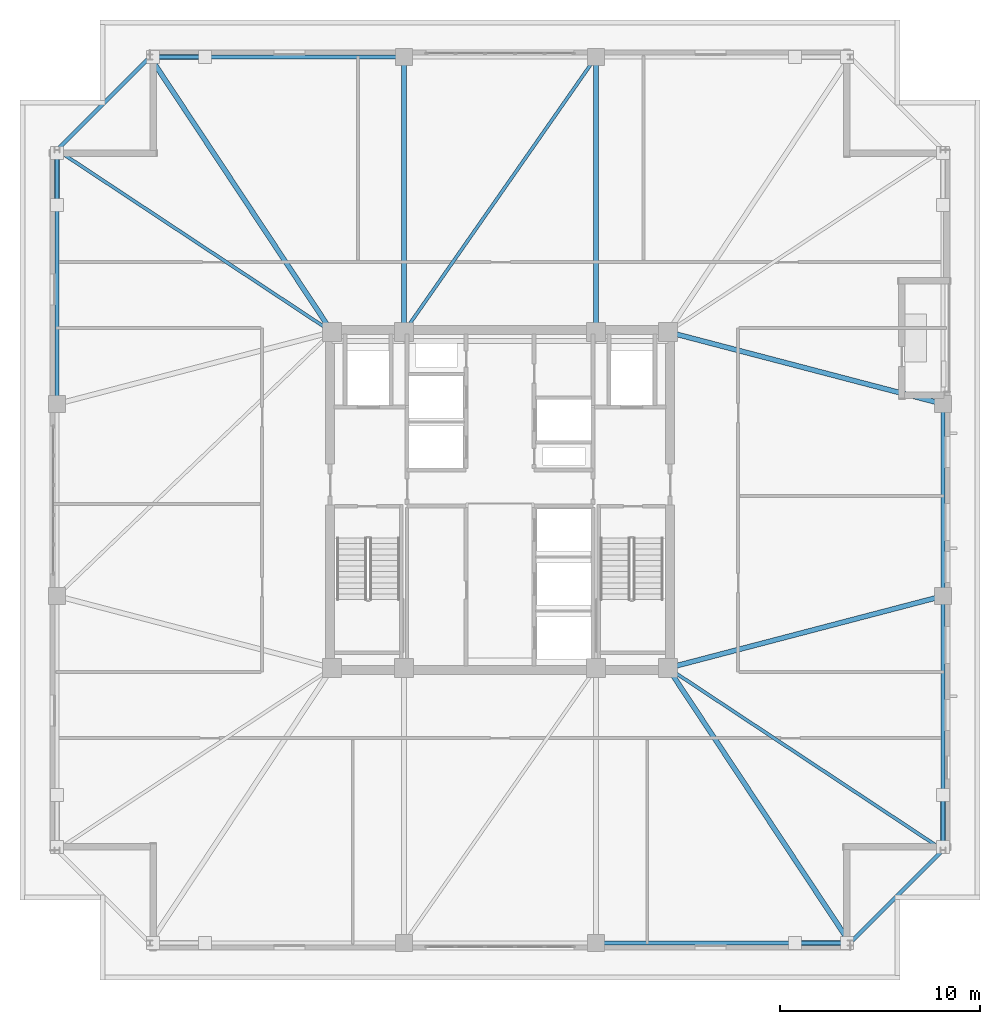
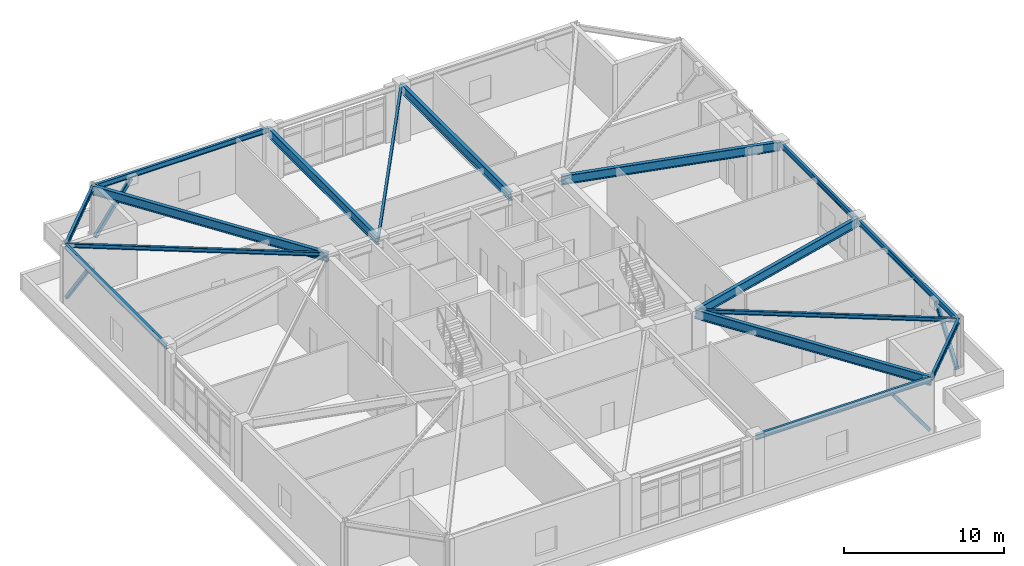
# One storey, part 8 of 18: 16 beams, 4 members.
"""IFC4 building model written with IfcOpenShell, lengths in metres."""

from ifc_helpers import new_model, si_unit, direction, frame, origin, origin_2d, place, context, subcontext, project, spatial, hollow_rectangle, i_section, extrude, material, material_profile, profile_set, type_object, element, save


model = new_model("IFC4")

# Units and contexts
model_context = context("Model", 3, precision=1e-05, world=origin(), true_north=direction((0.0, 1.0)))
body_context = subcontext(model_context, "Body", "Model", "MODEL_VIEW")
ifc_project = project(units=[si_unit("LENGTHUNIT", "METRE"), si_unit("AREAUNIT", "SQUARE_METRE"), si_unit("VOLUMEUNIT", "CUBIC_METRE"), si_unit("PLANEANGLEUNIT", "RADIAN"), si_unit("MASSUNIT", "GRAM", prefix="KILO")], contexts=[model_context])

# Site, building, storey
site_placement = place(None, origin())
site = spatial("IfcSite", under=ifc_project, at=site_placement, CompositionType="ELEMENT")
building_placement = place(site_placement, origin())
building = spatial("IfcBuilding", under=site, at=building_placement, Name="Cairnveth Concourse Tower", CompositionType="ELEMENT")
storey_placement = place(building_placement, frame((0.0, 0.0, 198.0)))
storey = spatial("IfcBuildingStorey", under=building, at=storey_placement, Name="L54", CompositionType="ELEMENT", Elevation=198.0)

# Beams
ifc_material_1 = material(Name="Steel Grade 350", Category="steel")
ifc_material_profile_1 = material_profile(ifc_material_1, i_section(OverallWidth=0.166015625, OverallDepth=0.306884765625, WebThickness=0.006591796875, FlangeThickness=0.01171875, FilletRadius=0.010986328125, at=origin_2d()), Name="310UB46.2")
ifc_profile_set_1 = profile_set([ifc_material_profile_1], Name="Steel Grade 350")
beam_type_1 = type_object("IfcBeamType", Name="ZONE 3 FLOOR JOIST 310UB46.2", PredefinedType="JOIST", material=ifc_profile_set_1)
for number, where, z_axis, x_axis, name in (
    (1, (74.14990234375, 21.5, 4.136474609375), (-0.833908956207, 0.551902031848, 0.0), (-0.551902031848, -0.833908956207, 0.0), "Beam FJ-CSE2 L54"),
    (2, (29.85009765625, 56.5, 4.136474609375), (0.833908956207, -0.551902031848, 0.0), (0.551902031848, 0.833908956207, 0.0), "Beam FJ-CNW2 L54"),
):
    element("IfcBeam", number, at=place(storey_placement, frame(where, z_axis=z_axis, x_axis=x_axis)), inside=storey, type_object=beam_type_1, Name=name, PredefinedType="JOIST", context=body_context, shape_type="SweptSolid", body=[
        extrude(i_section(OverallWidth=0.166015625, OverallDepth=0.306884765625, WebThickness=0.006591796875, FlangeThickness=0.01171875, FilletRadius=0.010986328125, at=origin_2d()), origin(), (0.0, 0.0, 1.0), 16.488525390625),
    ])
beam_1_placement = place(storey_placement, frame((47.199951171875, 47.39990234375, 4.136474609375), z_axis=(0.572465304893, 0.819928944905, 0.0), x_axis=(-0.819928944905, 0.572465304893, 0.0)))
element("IfcBeam", 3, at=beam_1_placement, inside=storey, type_object=beam_type_1, Name="Beam FJ-N-M1 L54", PredefinedType="JOIST", context=body_context, shape_type="SweptSolid", body=[
    extrude(i_section(OverallWidth=0.166015625, OverallDepth=0.306884765625, WebThickness=0.006591796875, FlangeThickness=0.01171875, FilletRadius=0.010986328125, at=origin_2d()), origin(), (0.0, 0.0, 1.0), 16.769775390625),
])

# Members
ifc_material_2 = material(Name="Steel C350L0 (350 MPa)", Category="steel")
ifc_material_profile_2 = material_profile(ifc_material_2, hollow_rectangle(XDim=0.25, YDim=0.25, WallThickness=0.012451171875, InnerFilletRadius=0.012939453125, OuterFilletRadius=0.02490234375, at=origin_2d()), Name="250x250x12.5SHS")
ifc_profile_set_2 = profile_set([ifc_material_profile_2], Name="Steel C350L0 (350 MPa)")
member_type = type_object("IfcMemberType", Name="ZONE 3 PIER BRACE 250X250X12.5SHS", PredefinedType="BRACE", material=ifc_profile_set_2)
for number, where, z_axis, x_axis, name in (
    (4, (69.35009765625, 16.85009765625, 0.25), (-0.586565875469, 0.0, 0.809901521011), (0.0, -1.0, 0.0), "Structural Brace PB-S2 L54"),
    (5, (34.64990234375, 61.14990234375, 0.25), (0.586565875469, 0.0, 0.809901521011), (0.0, 1.0, 0.0), "Structural Brace PB-N1 L54"),
    (6, (29.85009765625, 56.35009765625, 0.25), (0.0, -0.586565875469, 0.809901521011), (1.0, 0.0, 0.0), "Structural Brace PB-W2 L54"),
    (7, (74.14990234375, 21.64990234375, 0.25), (0.0, 0.586565875469, 0.809901521011), (-1.0, 0.0, 0.0), "Structural Brace PB-E1 L54"),
):
    element("IfcMember", number, at=place(storey_placement, frame(where, z_axis=z_axis, x_axis=x_axis)), inside=storey, type_object=member_type, Name=name, PredefinedType="BRACE", context=body_context, shape_type="SweptSolid", body=[
        extrude(hollow_rectangle(XDim=0.25, YDim=0.25, WallThickness=0.012451171875, InnerFilletRadius=0.012939453125, OuterFilletRadius=0.02490234375, at=origin_2d()), origin(), (0.0, 0.0, 1.0), 4.432861328125),
    ])

# Beams
ifc_material_profile_3 = material_profile(ifc_material_1, i_section(OverallWidth=0.25, OverallDepth=0.69189453125, WebThickness=0.010009765625, FlangeThickness=0.02490234375, at=origin_2d()), Name="700WB150")
ifc_profile_set_3 = profile_set([ifc_material_profile_3], Name="Steel Grade 350")
beam_type_2 = type_object("IfcBeamType", Name="ZONE 3 RADIAL GIRDER 700WB150", PredefinedType="BEAM", material=ifc_profile_set_3)
for number, where, z_axis, x_axis, name in (
    (8, (47.199951171875, 47.39990234375, 3.944091796875), (0.0, 1.0, 0.0), (-1.0, 0.0, 0.0), "Beam RG-N1 L54"),
    (9, (56.800048828125, 47.39990234375, 3.944091796875), (0.0, 1.0, 0.0), (-1.0, 0.0, 0.0), "Beam RG-N2 L54"),
):
    element("IfcBeam", number, at=place(storey_placement, frame(where, z_axis=z_axis, x_axis=x_axis)), inside=storey, type_object=beam_type_2, Name=name, PredefinedType="BEAM", context=body_context, shape_type="SweptSolid", body=[
        extrude(i_section(OverallWidth=0.25, OverallDepth=0.69189453125, WebThickness=0.010009765625, FlangeThickness=0.02490234375, at=origin_2d()), origin(), (0.0, 0.0, 1.0), 13.75),
    ])
for number, where, z_axis, x_axis, name in (
    (10, (60.39990234375, 30.60009765625, 3.944091796875), (0.967395273598, 0.253271365575, 0.0), (-0.253271365575, 0.967395273598, 0.0), "Beam RG-E1 L54"),
    (11, (60.39990234375, 47.39990234375, 3.944091796875), (0.967395273598, -0.253271365575, 0.0), (0.253271365575, 0.967395273598, 0.0), "Beam RG-E2 L54"),
):
    element("IfcBeam", number, at=place(storey_placement, frame(where, z_axis=z_axis, x_axis=x_axis)), inside=storey, type_object=beam_type_2, Name=name, PredefinedType="BEAM", context=body_context, shape_type="SweptSolid", body=[
        extrude(i_section(OverallWidth=0.25, OverallDepth=0.69189453125, WebThickness=0.010009765625, FlangeThickness=0.02490234375, at=origin_2d()), origin(), (0.0, 0.0, 1.0), 14.21337890625),
    ])
for number, where, z_axis, x_axis, name in (
    (12, (69.5, 16.85009765625, 3.944091796875), (-0.551902031848, 0.833908956207, 0.0), (-0.833908956207, -0.551902031848, 0.0), "Beam RG-CSE L54"),
    (13, (34.5, 61.14990234375, 3.944091796875), (0.551902031848, -0.833908956207, 0.0), (0.833908956207, 0.551902031848, 0.0), "Beam RG-CNW L54"),
):
    element("IfcBeam", number, at=place(storey_placement, frame(where, z_axis=z_axis, x_axis=x_axis)), inside=storey, type_object=beam_type_2, Name=name, PredefinedType="BEAM", context=body_context, shape_type="SweptSolid", body=[
        extrude(i_section(OverallWidth=0.25, OverallDepth=0.69189453125, WebThickness=0.010009765625, FlangeThickness=0.02490234375, at=origin_2d()), origin(), (0.0, 0.0, 1.0), 16.488525390625),
    ])
ifc_material_profile_4 = material_profile(ifc_material_1, i_section(OverallWidth=0.177978515625, OverallDepth=0.406005859375, WebThickness=0.0078125, FlangeThickness=0.0126953125, FilletRadius=0.010986328125, at=origin_2d()), Name="410UB59.7")
ifc_profile_set_4 = profile_set([ifc_material_profile_4], Name="Steel Grade 350")
beam_type_3 = type_object("IfcBeamType", Name="ZONE 3 SPANDREL BEAM 410UB59.7", PredefinedType="SPANDREL", material=ifc_profile_set_4)
for number, where, z_axis, x_axis, name in (
    (14, (56.800048828125, 16.85009765625, 4.0869140625), (1.0, 0.0, 0.0), (0.0, 1.0, 0.0), "Beam SP-S3 L54"),
    (15, (34.5, 61.14990234375, 4.0869140625), (1.0, 0.0, 0.0), (0.0, 1.0, 0.0), "Beam SP-N1 L54"),
    (16, (29.85009765625, 43.800048828125, 4.0869140625), (0.0, 1.0, 0.0), (-1.0, 0.0, 0.0), "Beam SP-W3 L54"),
    (17, (74.14990234375, 21.5, 4.0869140625), (0.0, 1.0, 0.0), (-1.0, 0.0, 0.0), "Beam SP-E1 L54"),
):
    element("IfcBeam", number, at=place(storey_placement, frame(where, z_axis=z_axis, x_axis=x_axis)), inside=storey, type_object=beam_type_3, Name=name, PredefinedType="SPANDREL", context=body_context, shape_type="SweptSolid", body=[
        extrude(i_section(OverallWidth=0.177978515625, OverallDepth=0.406005859375, WebThickness=0.0078125, FlangeThickness=0.0126953125, FilletRadius=0.010986328125, at=origin_2d()), origin(), (0.0, 0.0, 1.0), 12.699951171875),
    ])
beam_2_placement = place(storey_placement, frame((74.14990234375, 34.199951171875, 4.0869140625), z_axis=(0.0, 1.0, 0.0), x_axis=(-1.0, 0.0, 0.0)))
element("IfcBeam", 18, at=beam_2_placement, inside=storey, type_object=beam_type_3, Name="Beam SP-E2 L54", PredefinedType="SPANDREL", context=body_context, shape_type="SweptSolid", body=[
    extrude(i_section(OverallWidth=0.177978515625, OverallDepth=0.406005859375, WebThickness=0.0078125, FlangeThickness=0.0126953125, FilletRadius=0.010986328125, at=origin_2d()), origin(), (0.0, 0.0, 1.0), 9.60009765625),
])
for number, where, z_axis, x_axis, name in (
    (19, (69.5, 16.85009765625, 4.0869140625), (0.707106781187, 0.707106781187, 0.0), (-0.707106781187, 0.707106781187, 0.0), "Beam SP-SE L54"),
    (20, (29.85009765625, 56.5, 4.0869140625), (0.707106781187, 0.707106781187, 0.0), (-0.707106781187, 0.707106781187, 0.0), "Beam SP-NW L54"),
):
    element("IfcBeam", number, at=place(storey_placement, frame(where, z_axis=z_axis, x_axis=x_axis)), inside=storey, type_object=beam_type_3, Name=name, PredefinedType="SPANDREL", context=body_context, shape_type="SweptSolid", body=[
        extrude(i_section(OverallWidth=0.177978515625, OverallDepth=0.406005859375, WebThickness=0.0078125, FlangeThickness=0.0126953125, FilletRadius=0.010986328125, at=origin_2d()), origin(), (0.0, 0.0, 1.0), 6.575927734375),
    ])

save(model, "model.ifc")
